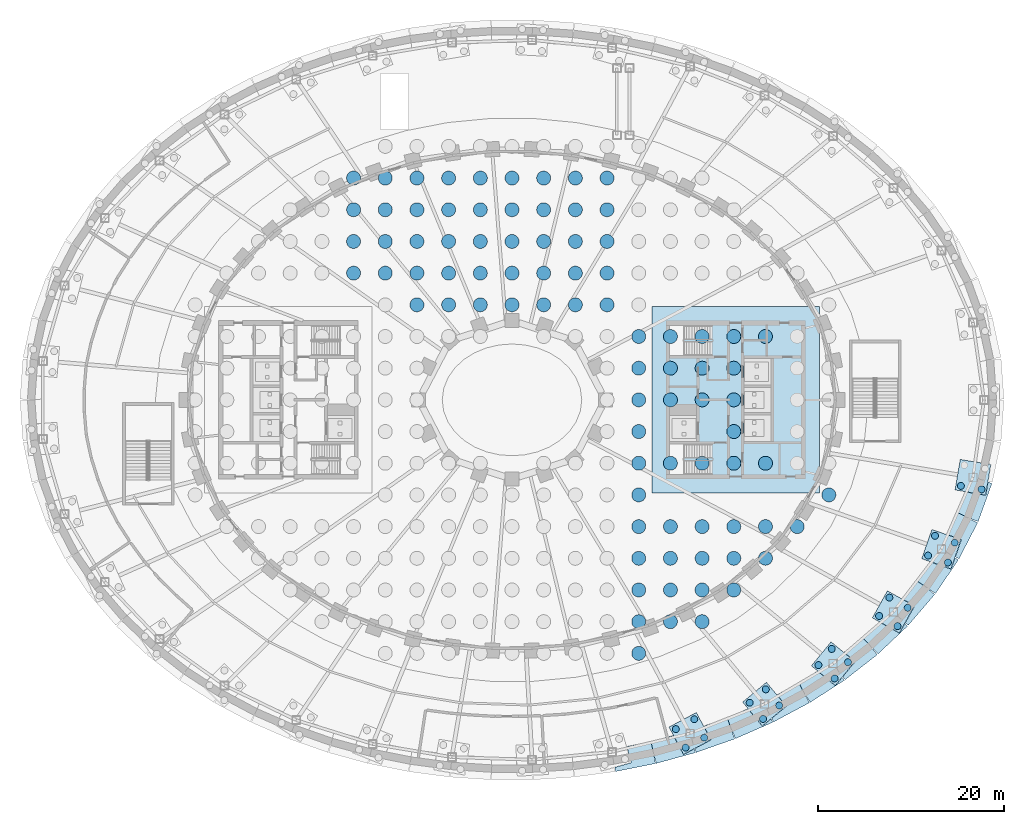
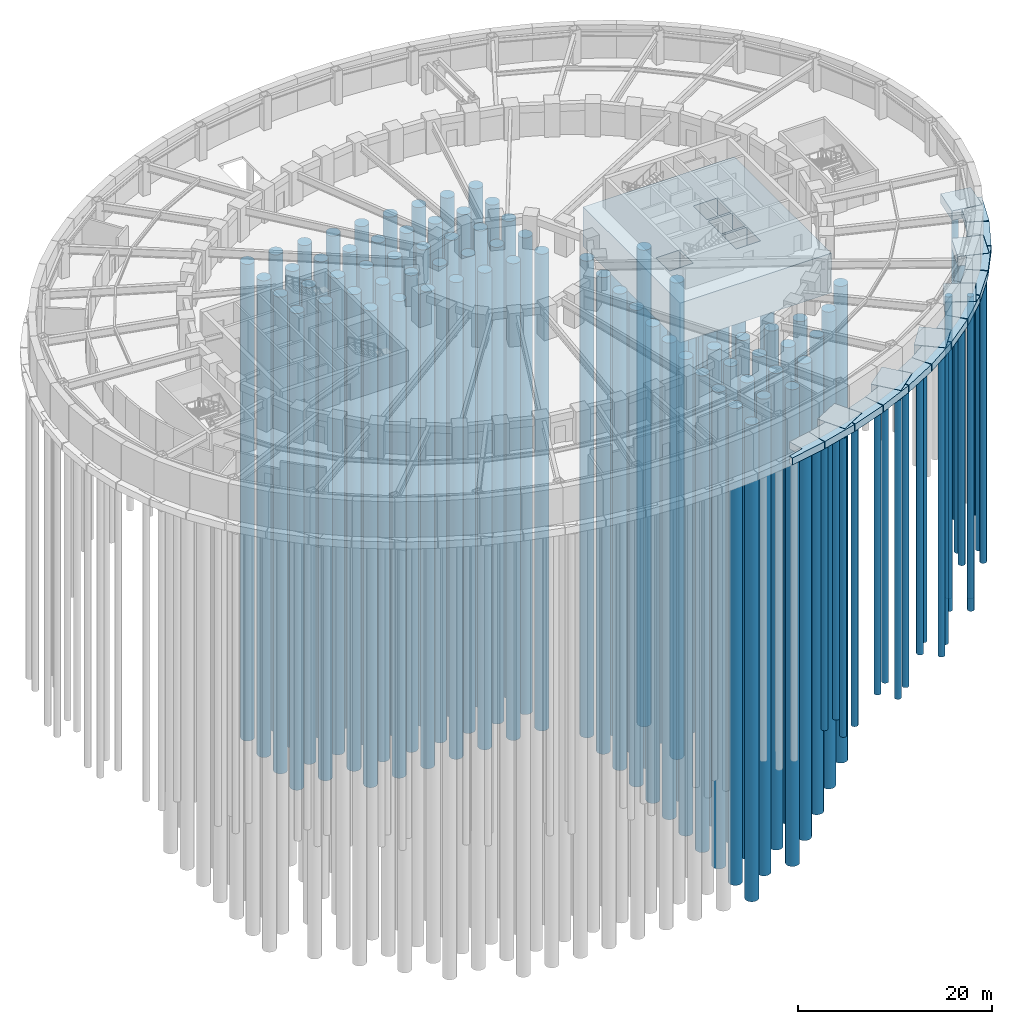
# One storey, part 3 of 19: 106 piles, 19 footings.
"""IFC4 building model written with IfcOpenShell, lengths in metres."""

from ifc_helpers import new_model, si_unit, direction, frame, origin, origin_2d, place, context, subcontext, project, spatial, polyline, circle, outline, extrude, material, layer, layer_set, material_profile, profile_set, type_object, element, save


model = new_model("IFC4")

# Units and contexts
model_context = context("Model", 3, precision=1e-05, world=origin(), true_north=direction((0.0, 1.0)))
body_context = subcontext(model_context, "Body", "Model", "MODEL_VIEW")
ifc_project = project(units=[si_unit("LENGTHUNIT", "METRE"), si_unit("AREAUNIT", "SQUARE_METRE"), si_unit("VOLUMEUNIT", "CUBIC_METRE"), si_unit("PLANEANGLEUNIT", "RADIAN"), si_unit("MASSUNIT", "GRAM", prefix="KILO")], contexts=[model_context])

# Site, building, storey
site_placement = place(None, origin())
site = spatial("IfcSite", under=ifc_project, at=site_placement, CompositionType="ELEMENT")
building_placement = place(site_placement, origin())
building = spatial("IfcBuilding", under=site, at=building_placement, Name="Noorbagh Ring Tower", CompositionType="ELEMENT")
storey_placement = place(building_placement, frame((0.0, 0.0, -8.39990234375)))
storey = spatial("IfcBuildingStorey", under=building, at=storey_placement, Name="B2", CompositionType="ELEMENT", Elevation=-8.39990234375)

# Footings
ifc_material_1 = material(Name="Concrete C50/60", Category="concrete")
ifc_layer_1 = layer(ifc_material_1, 1.199951171875)
ifc_layer_set_1 = layer_set([ifc_layer_1], Name="Concrete C50/60")
footing_type_1 = type_object("IfcFootingType", Name="GND-PODIUM-CAP", PredefinedType="PILE_CAP", material=ifc_layer_set_1)
footing_1_placement = place(storey_placement, frame((0.0, 0.0, -1.5)))
element("IfcFooting", 1, at=footing_1_placement, inside=storey, type_object=footing_type_1, Name="B2/cap/RP-28", PredefinedType="PILE_CAP", context=body_context, shape_type="SweptSolid", body=[
    extrude(outline(polyline([(16.8505859375, -35.108642578125), (18.41357421875, -38.037841796875), (21.342529296875, -36.474853515625), (19.77978515625, -33.545654296875), (16.8505859375, -35.108642578125)])), origin(), (0.0, 0.0, 1.0), 1.199951171875),
])
footing_2_placement = place(storey_placement, frame((0.0, 0.0, -1.5)))
element("IfcFooting", 2, at=footing_2_placement, inside=storey, type_object=footing_type_1, Name="B2/cap/RP-29", PredefinedType="PILE_CAP", context=body_context, shape_type="SweptSolid", body=[
    extrude(outline(polyline([(24.749267578125, -32.430419921875), (26.869140625, -34.985595703125), (29.42431640625, -32.86572265625), (27.304443359375, -30.310791015625), (24.749267578125, -32.430419921875)])), origin(), (0.0, 0.0, 1.0), 1.199951171875),
])
footing_3_placement = place(storey_placement, frame((0.0, 0.0, -1.5)))
element("IfcFooting", 3, at=footing_3_placement, inside=storey, type_object=footing_type_1, Name="B2/cap/RP-30", PredefinedType="PILE_CAP", context=body_context, shape_type="SweptSolid", body=[
    extrude(outline(polyline([(32.12841796875, -28.5361328125), (34.694091796875, -30.643310546875), (36.80126953125, -28.07763671875), (34.235595703125, -25.970458984375), (32.12841796875, -28.5361328125)])), origin(), (0.0, 0.0, 1.0), 1.199951171875),
])
footing_4_placement = place(storey_placement, frame((0.0, 0.0, -1.5)))
element("IfcFooting", 4, at=footing_4_placement, inside=storey, type_object=footing_type_1, Name="B2/cap/RP-31", PredefinedType="PILE_CAP", context=body_context, shape_type="SweptSolid", body=[
    extrude(outline(polyline([(38.67041015625, -23.394287109375), (41.572265625, -25.00732421875), (43.18505859375, -22.10546875), (40.283447265625, -20.492431640625), (38.67041015625, -23.394287109375)])), origin(), (0.0, 0.0, 1.0), 1.199951171875),
])
footing_5_placement = place(storey_placement, frame((0.0, 0.0, -1.5)))
element("IfcFooting", 5, at=footing_5_placement, inside=storey, type_object=footing_type_1, Name="B2/cap/RP-32", PredefinedType="PILE_CAP", context=body_context, shape_type="SweptSolid", body=[
    extrude(outline(polyline([(43.96826171875, -17.0439453125), (47.104248046875, -18.13427734375), (48.1943359375, -14.998291015625), (45.05859375, -13.908203125), (43.96826171875, -17.0439453125)])), origin(), (0.0, 0.0, 1.0), 1.199951171875),
])
footing_6_placement = place(storey_placement, frame((0.0, 0.0, -1.5)))
element("IfcFooting", 6, at=footing_6_placement, inside=storey, type_object=footing_type_1, Name="B2/cap/RP-33", PredefinedType="PILE_CAP", context=body_context, shape_type="SweptSolid", body=[
    extrude(outline(polyline([(47.549072265625, -9.66650390625), (50.8232421875, -10.21630859375), (51.372802734375, -6.942138671875), (48.0986328125, -6.392333984375), (47.549072265625, -9.66650390625)])), origin(), (0.0, 0.0, 1.0), 1.199951171875),
])

# Piles
ifc_material_2 = material(Name="Concrete C50/60", Category="concrete")
ifc_material_profile_1 = material_profile(ifc_material_2, circle(Radius=0.375, at=origin_2d()), Name="PILE750")
ifc_profile_set_1 = profile_set([ifc_material_profile_1], Name="Concrete C50/60")
pile_type_1 = type_object("IfcPileType", Name="GND-PODIUM-PILE", PredefinedType="BORED", material=ifc_profile_set_1)
for number, where, z_axis, x_axis, name in (
    (7, (17.574462890625, -35.328857421875, -1.400146484375), (0.0, 0.0, -1.0), (1.0, 0.0, 0.0), "B2/pile/RP-28-1"),
    (8, (19.5595703125, -34.26953125, -1.400146484375), (0.0, 0.0, -1.0), (1.0, 0.0, 0.0), "B2/pile/RP-28-2"),
    (9, (18.633544921875, -37.31396484375, -1.400146484375), (0.0, 0.0, -1.0), (1.0, 0.0, 0.0), "B2/pile/RP-28-3"),
    (10, (20.61865234375, -36.254638671875, -1.400146484375), (0.0, 0.0, -1.0), (1.0, 0.0, 0.0), "B2/pile/RP-28-4"),
    (11, (25.502685546875, -32.500732421875, -1.400146484375), (0.0, 0.0, -1.0), (1.0, 0.0, 0.0), "B2/pile/RP-29-1"),
    (12, (27.234375, -31.06396484375, -1.400146484375), (0.0, 0.0, -1.0), (1.0, 0.0, 0.0), "B2/pile/RP-29-2"),
    (13, (26.939453125, -34.232177734375, -1.400146484375), (0.0, 0.0, -1.0), (1.0, 0.0, 0.0), "B2/pile/RP-29-3"),
    (14, (28.6708984375, -32.795654296875, -1.400146484375), (0.0, 0.0, -1.0), (1.0, 0.0, 0.0), "B2/pile/RP-29-4"),
    (15, (32.881591796875, -28.462158203125, -1.400146484375), (0.0, 0.0, -1.0), (1.0, 0.0, 0.0), "B2/pile/RP-30-1"),
    (16, (34.3095703125, -26.723388671875, -1.400146484375), (0.0, 0.0, -1.0), (1.0, 0.0, 0.0), "B2/pile/RP-30-2"),
    (17, (34.6201171875, -29.890380859375, -1.400146484375), (0.0, 0.0, -1.0), (1.0, 0.0, 0.0), "B2/pile/RP-30-3"),
    (18, (36.04833984375, -28.151611328125, -1.400146484375), (0.0, 0.0, -1.0), (1.0, 0.0, 0.0), "B2/pile/RP-30-4"),
    (19, (39.39794921875, -23.186767578125, -1.400146484375), (0.0, 0.0, -1.0), (1.0, 0.0, 0.0), "B2/pile/RP-31-1"),
    (20, (40.490966796875, -21.219970703125, -1.400146484375), (0.0, 0.0, -1.0), (1.0, 0.0, 0.0), "B2/pile/RP-31-2"),
    (21, (41.364501953125, -24.27978515625, -1.400146484375), (0.0, 0.0, -1.0), (1.0, 0.0, 0.0), "B2/pile/RP-31-3"),
    (22, (42.45751953125, -22.313232421875, -1.400146484375), (0.0, 0.0, -1.0), (1.0, 0.0, 0.0), "B2/pile/RP-31-4"),
    (23, (44.649169921875, -16.71435546875, -1.400146484375), (0.0, 0.0, -1.0), (1.0, 0.0, 0.0), "B2/pile/RP-32-1"),
    (24, (45.38818359375, -14.589111328125, -1.400146484375), (0.0, 0.0, -1.0), (1.0, 0.0, 0.0), "B2/pile/RP-32-2"),
    (25, (46.7744140625, -17.453125, -1.400146484375), (0.0, 0.0, -1.0), (1.0, 0.0, 0.0), "B2/pile/RP-32-3"),
    (26, (47.513427734375, -15.328125, -1.400146484375), (0.0, 0.0, -1.0), (1.0, 0.0, 0.0), "B2/pile/RP-32-4"),
    (27, (48.165283203125, -9.2275390625, -1.400146484375), (0.0, 0.0, -1.0), (1.0, 0.0, 0.0), "B2/pile/RP-33-1"),
    (28, (50.38427734375, -9.60009765625, -1.400146484375), (0.0, 0.0, -1.0), (1.0, 0.0, 0.0), "B2/pile/RP-33-3"),
):
    element("IfcPile", number, at=place(storey_placement, frame(where, z_axis=z_axis, x_axis=x_axis)), inside=storey, type_object=pile_type_1, Name=name, PredefinedType="BORED", context=body_context, shape_type="SweptSolid", body=[
        extrude(circle(Radius=0.375, at=origin_2d()), origin(), (0.0, 0.0, 1.0), 38.0),
    ])
ifc_material_3 = material(Name="Concrete C40/50", Category="concrete")
ifc_material_profile_2 = material_profile(ifc_material_3, circle(Radius=0.75, at=origin_2d()), Name="PILE1500")
ifc_profile_set_2 = profile_set([ifc_material_profile_2], Name="Concrete C40/50")
pile_type_2 = type_object("IfcPileType", Name="STR-PILE", PredefinedType="BORED", material=ifc_profile_set_2)
for number, where, z_axis, x_axis, name in (
    (29, (-17.0, 13.60009765625, -4.2001953125), (0.0, 0.0, -1.0), (1.0, 0.0, 0.0), "B2/pile/032"),
    (30, (-17.0, 17.0, -4.2001953125), (0.0, 0.0, -1.0), (1.0, 0.0, 0.0), "B2/pile/033"),
    (31, (-17.0, 20.39990234375, -4.2001953125), (0.0, 0.0, -1.0), (1.0, 0.0, 0.0), "B2/pile/034"),
    (32, (-17.0, 23.800048828125, -4.2001953125), (0.0, 0.0, -1.0), (1.0, 0.0, 0.0), "B2/pile/035"),
    (33, (-13.60009765625, 13.60009765625, -4.2001953125), (0.0, 0.0, -1.0), (1.0, 0.0, 0.0), "B2/pile/048"),
    (34, (-13.60009765625, 17.0, -4.2001953125), (0.0, 0.0, -1.0), (1.0, 0.0, 0.0), "B2/pile/049"),
    (35, (-13.60009765625, 20.39990234375, -4.2001953125), (0.0, 0.0, -1.0), (1.0, 0.0, 0.0), "B2/pile/050"),
    (36, (-13.60009765625, 23.800048828125, -4.2001953125), (0.0, 0.0, -1.0), (1.0, 0.0, 0.0), "B2/pile/051"),
    (37, (-10.199951171875, 10.199951171875, -4.2001953125), (0.0, 0.0, -1.0), (1.0, 0.0, 0.0), "B2/pile/064"),
    (38, (-10.199951171875, 13.60009765625, -4.2001953125), (0.0, 0.0, -1.0), (1.0, 0.0, 0.0), "B2/pile/065"),
    (39, (-10.199951171875, 17.0, -4.2001953125), (0.0, 0.0, -1.0), (1.0, 0.0, 0.0), "B2/pile/066"),
    (40, (-10.199951171875, 20.39990234375, -4.2001953125), (0.0, 0.0, -1.0), (1.0, 0.0, 0.0), "B2/pile/067"),
    (41, (-10.199951171875, 23.800048828125, -4.2001953125), (0.0, 0.0, -1.0), (1.0, 0.0, 0.0), "B2/pile/068"),
    (42, (-6.800048828125, 10.199951171875, -4.2001953125), (0.0, 0.0, -1.0), (1.0, 0.0, 0.0), "B2/pile/078"),
    (43, (-6.800048828125, 13.60009765625, -4.2001953125), (0.0, 0.0, -1.0), (1.0, 0.0, 0.0), "B2/pile/079"),
    (44, (-6.800048828125, 17.0, -4.2001953125), (0.0, 0.0, -1.0), (1.0, 0.0, 0.0), "B2/pile/080"),
    (45, (-6.800048828125, 20.39990234375, -4.2001953125), (0.0, 0.0, -1.0), (1.0, 0.0, 0.0), "B2/pile/081"),
    (46, (-6.800048828125, 23.800048828125, -4.2001953125), (0.0, 0.0, -1.0), (1.0, 0.0, 0.0), "B2/pile/082"),
    (47, (-3.39990234375, 10.199951171875, -4.2001953125), (0.0, 0.0, -1.0), (1.0, 0.0, 0.0), "B2/pile/092"),
    (48, (-3.39990234375, 13.60009765625, -4.2001953125), (0.0, 0.0, -1.0), (1.0, 0.0, 0.0), "B2/pile/093"),
    (49, (-3.39990234375, 17.0, -4.2001953125), (0.0, 0.0, -1.0), (1.0, 0.0, 0.0), "B2/pile/094"),
    (50, (-3.39990234375, 20.39990234375, -4.2001953125), (0.0, 0.0, -1.0), (1.0, 0.0, 0.0), "B2/pile/095"),
    (51, (-3.39990234375, 23.800048828125, -4.2001953125), (0.0, 0.0, -1.0), (1.0, 0.0, 0.0), "B2/pile/096"),
    (52, (0.0, 10.199951171875, -4.2001953125), (0.0, 0.0, -1.0), (1.0, 0.0, 0.0), "B2/pile/104"),
    (53, (0.0, 13.60009765625, -4.2001953125), (0.0, 0.0, -1.0), (1.0, 0.0, 0.0), "B2/pile/105"),
    (54, (0.0, 17.0, -4.2001953125), (0.0, 0.0, -1.0), (1.0, 0.0, 0.0), "B2/pile/106"),
    (55, (0.0, 20.39990234375, -4.2001953125), (0.0, 0.0, -1.0), (1.0, 0.0, 0.0), "B2/pile/107"),
    (56, (0.0, 23.800048828125, -4.2001953125), (0.0, 0.0, -1.0), (1.0, 0.0, 0.0), "B2/pile/108"),
    (57, (3.39990234375, 10.199951171875, -4.2001953125), (0.0, 0.0, -1.0), (1.0, 0.0, 0.0), "B2/pile/118"),
    (58, (3.39990234375, 13.60009765625, -4.2001953125), (0.0, 0.0, -1.0), (1.0, 0.0, 0.0), "B2/pile/119"),
    (59, (3.39990234375, 17.0, -4.2001953125), (0.0, 0.0, -1.0), (1.0, 0.0, 0.0), "B2/pile/120"),
    (60, (3.39990234375, 20.39990234375, -4.2001953125), (0.0, 0.0, -1.0), (1.0, 0.0, 0.0), "B2/pile/121"),
    (61, (3.39990234375, 23.800048828125, -4.2001953125), (0.0, 0.0, -1.0), (1.0, 0.0, 0.0), "B2/pile/122"),
    (62, (6.800048828125, 10.199951171875, -4.2001953125), (0.0, 0.0, -1.0), (1.0, 0.0, 0.0), "B2/pile/132"),
    (63, (6.800048828125, 13.60009765625, -4.2001953125), (0.0, 0.0, -1.0), (1.0, 0.0, 0.0), "B2/pile/133"),
    (64, (6.800048828125, 17.0, -4.2001953125), (0.0, 0.0, -1.0), (1.0, 0.0, 0.0), "B2/pile/134"),
    (65, (6.800048828125, 20.39990234375, -4.2001953125), (0.0, 0.0, -1.0), (1.0, 0.0, 0.0), "B2/pile/135"),
    (66, (6.800048828125, 23.800048828125, -4.2001953125), (0.0, 0.0, -1.0), (1.0, 0.0, 0.0), "B2/pile/136"),
    (67, (10.199951171875, 10.199951171875, -4.2001953125), (0.0, 0.0, -1.0), (1.0, 0.0, 0.0), "B2/pile/149"),
    (68, (10.199951171875, 13.60009765625, -4.2001953125), (0.0, 0.0, -1.0), (1.0, 0.0, 0.0), "B2/pile/150"),
    (69, (10.199951171875, 17.0, -4.2001953125), (0.0, 0.0, -1.0), (1.0, 0.0, 0.0), "B2/pile/151"),
    (70, (10.199951171875, 20.39990234375, -4.2001953125), (0.0, 0.0, -1.0), (1.0, 0.0, 0.0), "B2/pile/152"),
    (71, (10.199951171875, 23.800048828125, -4.2001953125), (0.0, 0.0, -1.0), (1.0, 0.0, 0.0), "B2/pile/153"),
    (72, (13.60009765625, -27.199951171875, -4.2001953125), (0.0, 0.0, -1.0), (1.0, 0.0, 0.0), "B2/pile/155"),
    (73, (13.60009765625, -23.800048828125, -4.2001953125), (0.0, 0.0, -1.0), (1.0, 0.0, 0.0), "B2/pile/156"),
    (74, (13.60009765625, -20.39990234375, -4.2001953125), (0.0, 0.0, -1.0), (1.0, 0.0, 0.0), "B2/pile/157"),
    (75, (13.60009765625, -17.0, -4.2001953125), (0.0, 0.0, -1.0), (1.0, 0.0, 0.0), "B2/pile/158"),
    (76, (13.60009765625, -13.60009765625, -4.2001953125), (0.0, 0.0, -1.0), (1.0, 0.0, 0.0), "B2/pile/159"),
    (77, (13.60009765625, -10.199951171875, -4.2001953125), (0.0, 0.0, -1.0), (1.0, 0.0, 0.0), "B2/pile/160"),
    (78, (13.60009765625, -6.800048828125, -4.2001953125), (0.0, 0.0, -1.0), (1.0, 0.0, 0.0), "B2/pile/161"),
    (79, (13.60009765625, -3.39990234375, -4.2001953125), (0.0, 0.0, -1.0), (1.0, 0.0, 0.0), "B2/pile/162"),
    (80, (13.60009765625, 0.0, -4.2001953125), (0.0, 0.0, -1.0), (1.0, 0.0, 0.0), "B2/pile/163"),
    (81, (13.60009765625, 3.39990234375, -4.2001953125), (0.0, 0.0, -1.0), (1.0, 0.0, 0.0), "B2/pile/164"),
    (82, (13.60009765625, 6.800048828125, -4.2001953125), (0.0, 0.0, -1.0), (1.0, 0.0, 0.0), "B2/pile/165"),
    (83, (17.0, -23.800048828125, -4.2001953125), (0.0, 0.0, -1.0), (1.0, 0.0, 0.0), "B2/pile/172"),
    (84, (17.0, -20.39990234375, -4.2001953125), (0.0, 0.0, -1.0), (1.0, 0.0, 0.0), "B2/pile/173"),
    (85, (17.0, -17.0, -4.2001953125), (0.0, 0.0, -1.0), (1.0, 0.0, 0.0), "B2/pile/174"),
    (86, (17.0, -13.60009765625, -4.2001953125), (0.0, 0.0, -1.0), (1.0, 0.0, 0.0), "B2/pile/175"),
    (87, (20.39990234375, -23.800048828125, -4.2001953125), (0.0, 0.0, -1.0), (1.0, 0.0, 0.0), "B2/pile/180"),
    (88, (20.39990234375, -20.39990234375, -4.2001953125), (0.0, 0.0, -1.0), (1.0, 0.0, 0.0), "B2/pile/181"),
    (89, (20.39990234375, -17.0, -4.2001953125), (0.0, 0.0, -1.0), (1.0, 0.0, 0.0), "B2/pile/182"),
    (90, (20.39990234375, -13.60009765625, -4.2001953125), (0.0, 0.0, -1.0), (1.0, 0.0, 0.0), "B2/pile/183"),
    (91, (23.800048828125, -20.39990234375, -4.2001953125), (0.0, 0.0, -1.0), (1.0, 0.0, 0.0), "B2/pile/188"),
    (92, (23.800048828125, -17.0, -4.2001953125), (0.0, 0.0, -1.0), (1.0, 0.0, 0.0), "B2/pile/189"),
    (93, (23.800048828125, -13.60009765625, -4.2001953125), (0.0, 0.0, -1.0), (1.0, 0.0, 0.0), "B2/pile/190"),
    (94, (27.199951171875, -17.0, -4.2001953125), (0.0, 0.0, -1.0), (1.0, 0.0, 0.0), "B2/pile/194"),
    (95, (27.199951171875, -13.60009765625, -4.2001953125), (0.0, 0.0, -1.0), (1.0, 0.0, 0.0), "B2/pile/195"),
    (96, (30.60009765625, -13.60009765625, -4.2001953125), (0.0, 0.0, -1.0), (1.0, 0.0, 0.0), "B2/pile/198"),
    (97, (34.0, -10.199951171875, -4.2001953125), (0.0, 0.0, -1.0), (1.0, 0.0, 0.0), "B2/pile/200"),
    (98, (17.0, -6.800048828125, -5.2001953125), (0.0, 0.0, -1.0), (1.0, 0.0, 0.0), "B2/pile/227"),
    (99, (17.0, 0.0, -5.2001953125), (0.0, 0.0, -1.0), (1.0, 0.0, 0.0), "B2/pile/228"),
    (100, (17.0, 3.39990234375, -5.2001953125), (0.0, 0.0, -1.0), (1.0, 0.0, 0.0), "B2/pile/229"),
    (101, (17.0, 6.800048828125, -5.2001953125), (0.0, 0.0, -1.0), (1.0, 0.0, 0.0), "B2/pile/230"),
    (102, (20.39990234375, -6.800048828125, -5.2001953125), (0.0, 0.0, -1.0), (1.0, 0.0, 0.0), "B2/pile/231"),
    (103, (20.39990234375, 0.0, -5.2001953125), (0.0, 0.0, -1.0), (1.0, 0.0, 0.0), "B2/pile/232"),
    (104, (20.39990234375, 3.39990234375, -5.2001953125), (0.0, 0.0, -1.0), (1.0, 0.0, 0.0), "B2/pile/233"),
    (105, (20.39990234375, 6.800048828125, -5.2001953125), (0.0, 0.0, -1.0), (1.0, 0.0, 0.0), "B2/pile/234"),
    (106, (23.800048828125, -6.800048828125, -5.2001953125), (0.0, 0.0, -1.0), (1.0, 0.0, 0.0), "B2/pile/235"),
    (107, (23.800048828125, -3.39990234375, -5.2001953125), (0.0, 0.0, -1.0), (1.0, 0.0, 0.0), "B2/pile/236"),
    (108, (23.800048828125, 0.0, -5.2001953125), (0.0, 0.0, -1.0), (1.0, 0.0, 0.0), "B2/pile/237"),
    (109, (23.800048828125, 3.39990234375, -5.2001953125), (0.0, 0.0, -1.0), (1.0, 0.0, 0.0), "B2/pile/238"),
    (110, (23.800048828125, 6.800048828125, -5.2001953125), (0.0, 0.0, -1.0), (1.0, 0.0, 0.0), "B2/pile/239"),
    (111, (27.199951171875, -6.800048828125, -5.2001953125), (0.0, 0.0, -1.0), (1.0, 0.0, 0.0), "B2/pile/240"),
    (112, (27.199951171875, 6.800048828125, -5.2001953125), (0.0, 0.0, -1.0), (1.0, 0.0, 0.0), "B2/pile/241"),
):
    element("IfcPile", number, at=place(storey_placement, frame(where, z_axis=z_axis, x_axis=x_axis)), inside=storey, type_object=pile_type_2, Name=name, PredefinedType="BORED", context=body_context, shape_type="SweptSolid", body=[
        extrude(circle(Radius=0.75, at=origin_2d()), origin(), (0.0, 0.0, 1.0), 60.0),
    ])

# Footings
ifc_material_4 = material(Name="Concrete C50/60", Category="concrete")
ifc_layer_2 = layer(ifc_material_4, 5.0)
ifc_layer_set_2 = layer_set([ifc_layer_2], Name="Concrete C50/60")
footing_type_2 = type_object("IfcFootingType", Name="STR-RAFT-CORE", PredefinedType="USERDEFINED", material=ifc_layer_set_2)
footing_7_placement = place(storey_placement, frame((0.0, 0.0, -5.300048828125)))
element("IfcFooting", 113, at=footing_7_placement, inside=storey, type_object=footing_type_2, Name="B2/raft/E", ObjectType="CORE RAFT", PredefinedType="USERDEFINED", context=body_context, shape_type="SweptSolid", body=[
    extrude(outline(polyline([(33.0, -10.0), (33.0, 10.0), (15.0, 10.0), (15.0, -10.0), (33.0, -10.0)]), holes=[polyline([(19.800048828125, -4.449951171875), (16.89990234375, -4.449951171875), (16.89990234375, -1.699951171875), (19.800048828125, -1.699951171875), (19.800048828125, -4.449951171875)]), polyline([(27.800048828125, -4.449951171875), (24.89990234375, -4.449951171875), (24.89990234375, -1.60009765625), (27.800048828125, -1.60009765625), (27.800048828125, -4.449951171875)]), polyline([(27.800048828125, -1.35009765625), (24.89990234375, -1.35009765625), (24.89990234375, 1.35009765625), (27.800048828125, 1.35009765625), (27.800048828125, -1.35009765625)]), polyline([(27.800048828125, 1.60009765625), (24.89990234375, 1.60009765625), (24.89990234375, 4.449951171875), (27.800048828125, 4.449951171875), (27.800048828125, 1.60009765625)])]), origin(), (0.0, 0.0, 1.0), 5.0),
])
ifc_material_5 = material(Name="Concrete C40/50", Category="concrete")
ifc_layer_3 = layer(ifc_material_5, 0.89990234375)
ifc_layer_set_3 = layer_set([ifc_layer_3], Name="Concrete C40/50")
footing_type_3 = type_object("IfcFootingType", Name="STR-RETAINING-FOOTING", PredefinedType="STRIP_FOOTING", material=ifc_layer_set_3)
footing_8_placement = place(storey_placement, frame((0.0, 0.0, -1.2001953125)))
element("IfcFooting", 114, at=footing_8_placement, inside=storey, type_object=footing_type_3, Name="B2/footing/ret-53", PredefinedType="STRIP_FOOTING", context=body_context, shape_type="SweptSolid", body=[
    extrude(outline(polyline([(15.400634765625, -39.026611328125), (11.115966796875, -39.885498046875), (11.025146484375, -39.432373046875), (12.780517578125, -38.93408203125), (12.7822265625, -38.933349609375), (12.783935546875, -38.9326171875), (12.78564453125, -38.931640625), (12.787353515625, -38.930419921875), (12.788818359375, -38.92919921875), (12.7900390625, -38.927734375), (12.791259765625, -38.926025390625), (12.79248046875, -38.924560546875), (12.793212890625, -38.922607421875), (12.7939453125, -38.9208984375), (12.79443359375, -38.9189453125), (12.794921875, -38.9169921875), (12.794921875, -38.9150390625), (12.794921875, -38.9130859375), (12.794677734375, -38.9111328125), (12.794189453125, -38.9091796875), (12.30859375, -37.19873046875), (14.928955078125, -36.673583984375), (15.400634765625, -39.026611328125)])), origin(), (0.0, 0.0, 1.0), 0.900146484375),
])
footing_9_placement = place(storey_placement, frame((0.0, 0.0, -1.2001953125)))
element("IfcFooting", 115, at=footing_9_placement, inside=storey, type_object=footing_type_3, Name="B2/footing/ret-54", PredefinedType="STRIP_FOOTING", context=body_context, shape_type="SweptSolid", body=[
    extrude(outline(polyline([(19.695556640625, -37.85693359375), (15.480712890625, -39.0078125), (14.8486328125, -36.6923828125), (17.31396484375, -36.019287109375), (18.395751953125, -38.047119140625), (18.396728515625, -38.048828125), (18.39794921875, -38.05029296875), (18.3994140625, -38.052001953125), (18.40087890625, -38.05322265625), (18.40234375, -38.054443359375), (18.404052734375, -38.055419921875), (18.40576171875, -38.05615234375), (18.40771484375, -38.056884765625), (18.409423828125, -38.057373046875), (18.41162109375, -38.0576171875), (18.413330078125, -38.057861328125), (18.415283203125, -38.0576171875), (18.41748046875, -38.057373046875), (18.419189453125, -38.056884765625), (18.421142578125, -38.05615234375), (18.4228515625, -38.055419921875), (19.5810546875, -37.4375), (19.695556640625, -37.85693359375)])), origin(), (0.0, 0.0, 1.0), 0.900146484375),
])
footing_10_placement = place(storey_placement, frame((0.0, 0.0, -1.2001953125)))
element("IfcFooting", 116, at=footing_10_placement, inside=storey, type_object=footing_type_3, Name="B2/footing/ret-55", PredefinedType="STRIP_FOOTING", context=body_context, shape_type="SweptSolid", body=[
    extrude(outline(polyline([(23.898193359375, -36.384521484375), (19.777099609375, -37.83154296875), (19.629638671875, -37.41162109375), (21.35205078125, -36.49267578125), (21.353759765625, -36.49169921875), (21.355224609375, -36.490478515625), (21.356689453125, -36.489013671875), (21.358154296875, -36.487548828125), (21.359130859375, -36.486083984375), (21.360107421875, -36.484375), (21.361083984375, -36.482666015625), (21.36181640625, -36.480712890625), (21.3623046875, -36.478759765625), (21.362548828125, -36.476806640625), (21.362548828125, -36.474853515625), (21.362548828125, -36.472900390625), (21.3623046875, -36.470947265625), (21.36181640625, -36.468994140625), (21.361083984375, -36.46728515625), (21.3603515625, -36.465576171875), (20.581298828125, -35.005615234375), (23.10302734375, -34.1201171875), (23.898193359375, -36.384521484375)])), origin(), (0.0, 0.0, 1.0), 0.900146484375),
])
footing_11_placement = place(storey_placement, frame((0.0, 0.0, -1.2001953125)))
element("IfcFooting", 117, at=footing_11_placement, inside=storey, type_object=footing_type_3, Name="B2/footing/ret-56", PredefinedType="STRIP_FOOTING", context=body_context, shape_type="SweptSolid", body=[
    extrude(outline(polyline([(27.98193359375, -34.603271484375), (23.981201171875, -36.351806640625), (23.02001953125, -34.152587890625), (25.318603515625, -33.148193359375), (26.853759765625, -34.998291015625), (26.855224609375, -35.0), (26.856689453125, -35.001220703125), (26.858154296875, -35.002197265625), (26.85986328125, -35.00341796875), (26.86181640625, -35.004150390625), (26.863525390625, -35.0048828125), (26.865478515625, -35.00537109375), (26.867431640625, -35.005615234375), (26.869384765625, -35.005615234375), (26.871337890625, -35.005615234375), (26.873291015625, -35.005126953125), (26.875, -35.0048828125), (26.876953125, -35.004150390625), (26.87890625, -35.003173828125), (26.88037109375, -35.002197265625), (26.882080078125, -35.0009765625), (27.81689453125, -34.2255859375), (27.98193359375, -34.603271484375)])), origin(), (0.0, 0.0, 1.0), 0.900146484375),
])
footing_12_placement = place(storey_placement, frame((0.0, 0.0, -1.2001953125)))
element("IfcFooting", 118, at=footing_12_placement, inside=storey, type_object=footing_type_3, Name="B2/footing/ret-57", PredefinedType="STRIP_FOOTING", context=body_context, shape_type="SweptSolid", body=[
    extrude(outline(polyline([(31.91650390625, -32.507080078125), (28.06640625, -34.5625), (27.865234375, -34.185302734375), (29.43701171875, -32.881103515625), (29.438720703125, -32.8798828125), (29.43994140625, -32.87841796875), (29.44091796875, -32.876708984375), (29.44189453125, -32.875), (29.44287109375, -32.873291015625), (29.443603515625, -32.87158203125), (29.444091796875, -32.86962890625), (29.4443359375, -32.86767578125), (29.4443359375, -32.86572265625), (29.444091796875, -32.86376953125), (29.44384765625, -32.86181640625), (29.443603515625, -32.85986328125), (29.44287109375, -32.85791015625), (29.44189453125, -32.856201171875), (29.44091796875, -32.8544921875), (29.439697265625, -32.85302734375), (28.436767578125, -31.644287109375), (30.78662109375, -30.389892578125), (31.91650390625, -32.507080078125)])), origin(), (0.0, 0.0, 1.0), 0.900146484375),
])
footing_13_placement = place(storey_placement, frame((0.0, 0.0, -1.2001953125)))
element("IfcFooting", 119, at=footing_13_placement, inside=storey, type_object=footing_type_3, Name="B2/footing/ret-58", PredefinedType="STRIP_FOOTING", context=body_context, shape_type="SweptSolid", body=[
    extrude(outline(polyline([(35.666748046875, -30.090087890625), (32.002685546875, -32.45654296875), (30.700439453125, -30.4404296875), (32.7802734375, -29.097412109375), (34.681396484375, -30.65869140625), (34.682861328125, -30.659912109375), (34.6845703125, -30.660888671875), (34.686279296875, -30.66162109375), (34.688232421875, -30.662353515625), (34.690185546875, -30.662841796875), (34.692138671875, -30.6630859375), (34.694091796875, -30.663330078125), (34.696044921875, -30.6630859375), (34.697998046875, -30.662841796875), (34.699951171875, -30.662353515625), (34.70166015625, -30.66162109375), (34.70361328125, -30.660888671875), (34.705078125, -30.659912109375), (34.706787109375, -30.65869140625), (34.708251953125, -30.657470703125), (34.70947265625, -30.656005859375), (35.449951171875, -29.75439453125), (35.666748046875, -30.090087890625)])), origin(), (0.0, 0.0, 1.0), 0.900146484375),
])
footing_14_placement = place(storey_placement, frame((0.0, 0.0, -1.2001953125)))
element("IfcFooting", 120, at=footing_14_placement, inside=storey, type_object=footing_type_3, Name="B2/footing/ret-59", PredefinedType="STRIP_FOOTING", context=body_context, shape_type="SweptSolid", body=[
    extrude(outline(polyline([(39.191162109375, -27.34716796875), (35.75390625, -30.0283203125), (35.496337890625, -29.697998046875), (36.816650390625, -28.09033203125), (36.81787109375, -28.0888671875), (36.81884765625, -28.087158203125), (36.819580078125, -28.085205078125), (36.8203125, -28.08349609375), (36.82080078125, -28.08154296875), (36.821044921875, -28.07958984375), (36.8212890625, -28.07763671875), (36.821044921875, -28.07568359375), (36.82080078125, -28.07373046875), (36.8203125, -28.072021484375), (36.819580078125, -28.070068359375), (36.81884765625, -28.068359375), (36.81787109375, -28.066650390625), (36.816650390625, -28.06494140625), (36.8154296875, -28.0634765625), (36.81396484375, -28.062255859375), (35.62451171875, -27.085205078125), (37.715087890625, -25.45458984375), (39.191162109375, -27.34716796875)])), origin(), (0.0, 0.0, 1.0), 0.900146484375),
])
footing_15_placement = place(storey_placement, frame((0.0, 0.0, -1.2001953125)))
element("IfcFooting", 121, at=footing_15_placement, inside=storey, type_object=footing_type_3, Name="B2/footing/ret-60", PredefinedType="STRIP_FOOTING", context=body_context, shape_type="SweptSolid", body=[
    extrude(outline(polyline([(42.441650390625, -24.27734375), (39.2783203125, -27.2724609375), (37.628173828125, -25.529541015625), (39.41943359375, -23.833740234375), (41.5625, -25.02490234375), (41.564208984375, -25.025634765625), (41.566162109375, -25.0263671875), (41.56787109375, -25.02685546875), (41.56982421875, -25.027099609375), (41.57177734375, -25.02734375), (41.57373046875, -25.02734375), (41.57568359375, -25.027099609375), (41.57763671875, -25.026611328125), (41.57958984375, -25.02587890625), (41.581298828125, -25.025146484375), (41.5830078125, -25.024169921875), (41.584716796875, -25.02294921875), (41.586181640625, -25.021728515625), (41.58740234375, -25.020263671875), (41.588623046875, -25.018798828125), (41.589599609375, -25.01708984375), (42.163818359375, -23.984130859375), (42.441650390625, -24.27734375)])), origin(), (0.0, 0.0, 1.0), 0.900146484375),
])
footing_16_placement = place(storey_placement, frame((0.0, 0.0, -1.2001953125)))
element("IfcFooting", 122, at=footing_16_placement, inside=storey, type_object=footing_type_3, Name="B2/footing/ret-61", PredefinedType="STRIP_FOOTING", context=body_context, shape_type="SweptSolid", body=[
    extrude(outline(polyline([(45.3623046875, -20.885009765625), (42.527099609375, -24.187744140625), (42.20458984375, -23.910888671875), (43.20263671875, -22.115234375), (43.20361328125, -22.113525390625), (43.2041015625, -22.11181640625), (43.20458984375, -22.10986328125), (43.205078125, -22.10791015625), (43.205078125, -22.10595703125), (43.205078125, -22.10400390625), (43.204833984375, -22.10205078125), (43.204345703125, -22.10009765625), (43.203857421875, -22.09814453125), (43.202880859375, -22.096435546875), (43.201904296875, -22.0947265625), (43.20068359375, -22.093017578125), (43.199462890625, -22.091552734375), (43.197998046875, -22.09033203125), (43.196533203125, -22.089111328125), (43.19482421875, -22.088134765625), (41.82177734375, -21.32470703125), (43.541259765625, -19.32177734375), (45.3623046875, -20.885009765625)])), origin(), (0.0, 0.0, 1.0), 0.900146484375),
])
footing_17_placement = place(storey_placement, frame((0.0, 0.0, -1.2001953125)))
element("IfcFooting", 123, at=footing_17_placement, inside=storey, type_object=footing_type_3, Name="B2/footing/ret-62", PredefinedType="STRIP_FOOTING", context=body_context, shape_type="SweptSolid", body=[
    extrude(outline(polyline([(47.890869140625, -17.18359375), (45.44384765625, -20.77880859375), (43.459716796875, -19.42822265625), (44.85791015625, -17.37451171875), (47.09765625, -18.153076171875), (47.099365234375, -18.15380859375), (47.101318359375, -18.154052734375), (47.103271484375, -18.154296875), (47.105224609375, -18.154296875), (47.107177734375, -18.154052734375), (47.109130859375, -18.153564453125), (47.111083984375, -18.153076171875), (47.11279296875, -18.152099609375), (47.114501953125, -18.1513671875), (47.1162109375, -18.150146484375), (47.11767578125, -18.14892578125), (47.119140625, -18.1474609375), (47.120361328125, -18.14599609375), (47.121337890625, -18.144287109375), (47.122314453125, -18.142578125), (47.123046875, -18.140869140625), (47.5390625, -16.944091796875), (47.890869140625, -17.18359375)])), origin(), (0.0, 0.0, 1.0), 0.900146484375),
])
footing_18_placement = place(storey_placement, frame((0.0, 0.0, -1.2001953125)))
element("IfcFooting", 124, at=footing_18_placement, inside=storey, type_object=footing_type_3, Name="B2/footing/ret-63", PredefinedType="STRIP_FOOTING", context=body_context, shape_type="SweptSolid", body=[
    extrude(outline(polyline([(49.96044921875, -13.19970703125), (47.96484375, -17.0595703125), (47.56982421875, -16.855224609375), (48.21337890625, -15.0048828125), (48.2138671875, -15.003173828125), (48.214111328125, -15.001220703125), (48.21435546875, -14.999267578125), (48.21435546875, -14.997314453125), (48.214111328125, -14.995361328125), (48.213623046875, -14.993408203125), (48.213134765625, -14.991455078125), (48.21240234375, -14.98974609375), (48.21142578125, -14.98779296875), (48.210205078125, -14.986328125), (48.208984375, -14.98486328125), (48.207763671875, -14.9833984375), (48.206298828125, -14.982177734375), (48.20458984375, -14.981201171875), (48.202880859375, -14.980224609375), (48.200927734375, -14.9794921875), (46.622314453125, -14.4306640625), (47.828369140625, -12.09765625), (49.96044921875, -13.19970703125)])), origin(), (0.0, 0.0, 1.0), 0.900146484375),
])
footing_19_placement = place(storey_placement, frame((0.0, 0.0, -1.2001953125)))
element("IfcFooting", 125, at=footing_19_placement, inside=storey, type_object=footing_type_3, Name="B2/footing/ret-64", PredefinedType="STRIP_FOOTING", context=body_context, shape_type="SweptSolid", body=[
    extrude(outline(polyline([(51.50390625, -8.977294921875), (50.022216796875, -13.05810546875), (47.766357421875, -12.239013671875), (48.627197265625, -9.867919921875), (50.81982421875, -10.236083984375), (50.82177734375, -10.236328125), (50.82373046875, -10.236328125), (50.82568359375, -10.236083984375), (50.82763671875, -10.23583984375), (50.82958984375, -10.2353515625), (50.831298828125, -10.234619140625), (50.8330078125, -10.233642578125), (50.834716796875, -10.232666015625), (50.836181640625, -10.2314453125), (50.837890625, -10.22998046875), (50.839111328125, -10.228515625), (50.840087890625, -10.22705078125), (50.841064453125, -10.22509765625), (50.841796875, -10.223388671875), (50.842529296875, -10.2216796875), (50.843017578125, -10.2197265625), (51.077392578125, -8.822509765625), (51.50390625, -8.977294921875)])), origin(), (0.0, 0.0, 1.0), 0.900146484375),
])

save(model, "model.ifc")
